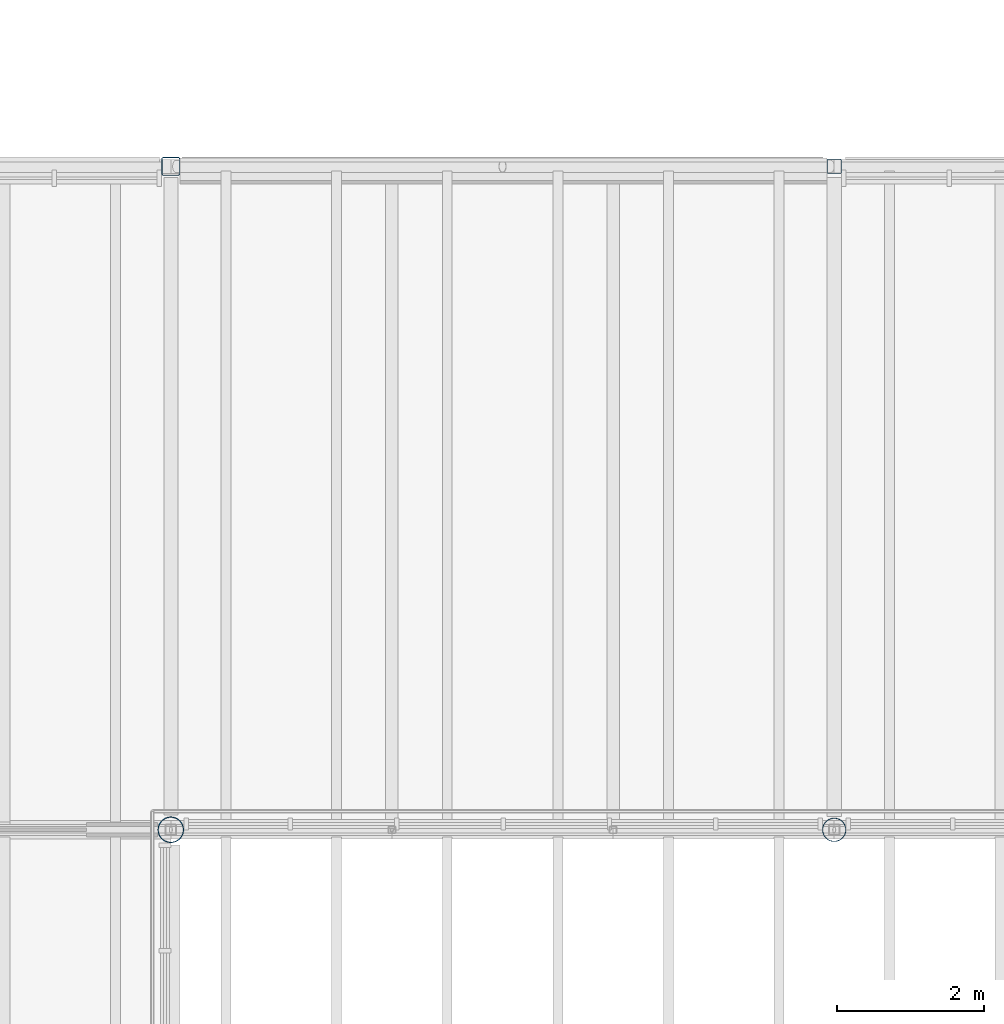
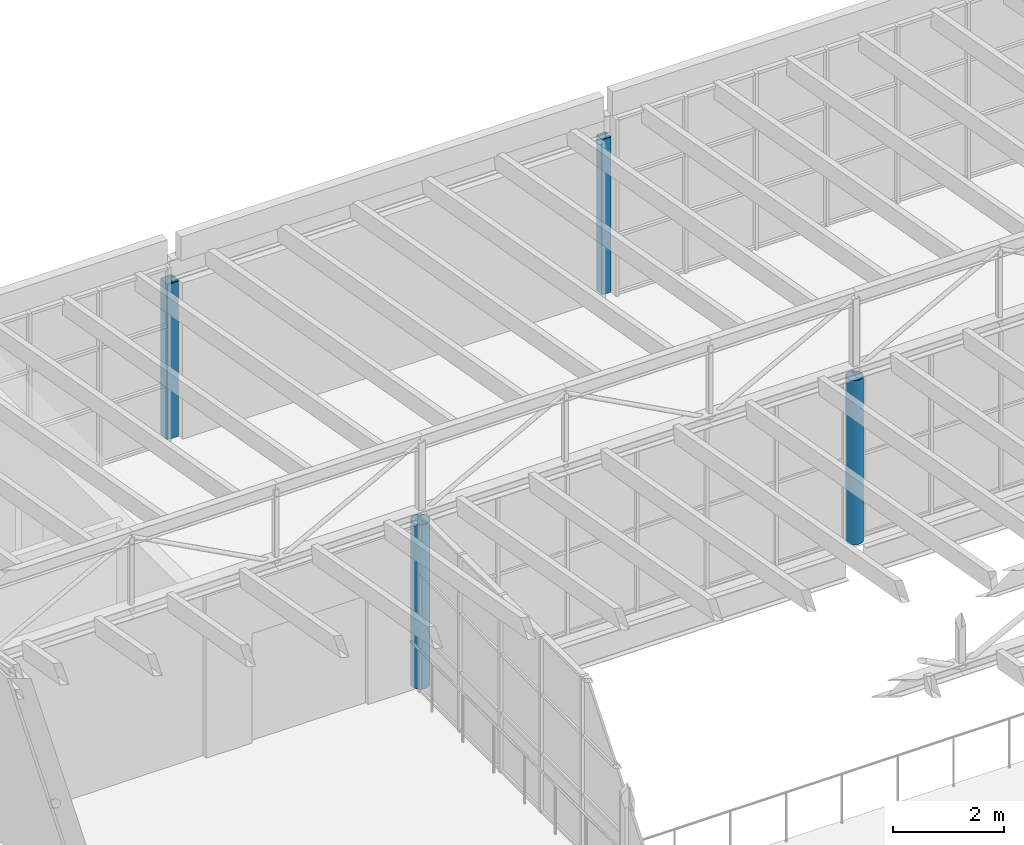
# One storey, part 2 of 44: 4 columns.
"""IFC4 building model written with IfcOpenShell, lengths in metres."""

import ifcopenshell
import ifcopenshell.guid

model = None  # the IFC model being written
_history = None  # IfcOwnerHistory: only IFC2X3 demands one
_inside = {}  # id of a spatial element -> (the spatial element, [elements in it])
_under = {}  # id of a project, library or spatial element -> (it, [spatial elements below it])
_declared = {}  # id of a project -> (the project, [libraries it declares])
_typed = {}  # id of a type object -> (the type object, [elements of that type])
_made_of = {}  # id of a material, layer set ... -> (it, [elements and type objects made of it])


def new_model(schema):
    """Start an empty IFC model of exactly this schema.

    Asked for "IFC4X3", IfcOpenShell would pick the latest addendum, in which some entities
    have other attributes; the version numbers below select the first issue.
    IFC2X3 requires an IfcOwnerHistory on every rooted entity: one is made here for all.
    """
    global model, _history
    if schema == "IFC4X3":
        model = ifcopenshell.file(schema_version=(4, 3, 0, 0))
    else:
        model = ifcopenshell.file(schema=schema)
    _inside.clear()
    _under.clear()
    _declared.clear()
    _typed.clear()
    _made_of.clear()
    _history = None
    if model.schema == "IFC2X3":
        org = make("IfcOrganization", Name="unknown")
        user = make(
            "IfcPersonAndOrganization",
            ThePerson=make("IfcPerson", FamilyName="unknown"),
            TheOrganization=org,
        )
        app = make(
            "IfcApplication",
            ApplicationDeveloper=org,
            Version="unknown",
            ApplicationFullName="unknown",
            ApplicationIdentifier="unknown",
        )
        _history = make(
            "IfcOwnerHistory",
            OwningUser=user,
            OwningApplication=app,
            ChangeAction="ADDED",
            CreationDate=0,
        )
    return model


def make(cls, **values):
    """One entity of the class cls with the attributes given. An attribute that is None is left unset."""
    return model.create_entity(
        cls, **{name: value for name, value in values.items() if value is not None}
    )


def rooted(cls, **values):
    """An entity with a GlobalId (a new one), such as an element, a storey or a relation."""
    return make(cls, GlobalId=ifcopenshell.guid.new(), OwnerHistory=_history, **values)


def si_unit(unit_type, name, prefix=None):
    """IfcSIUnit, for example si_unit("LENGTHUNIT", "METRE", prefix="MILLI")."""
    return make("IfcSIUnit", UnitType=unit_type, Prefix=prefix, Name=name)


def assignment(units):
    """IfcUnitAssignment: the units of a project."""
    return None if units is None else make("IfcUnitAssignment", Units=units)


def point(xyz):
    """IfcCartesianPoint."""
    return None if xyz is None else make("IfcCartesianPoint", Coordinates=xyz)


def direction(xyz):
    """IfcDirection."""
    return None if xyz is None else make("IfcDirection", DirectionRatios=xyz)


def frame(location, z_axis=None, x_axis=None):
    """IfcAxis2Placement3D, a coordinate frame: its origin and axes. An axis left out is left unset."""
    return make(
        "IfcAxis2Placement3D",
        Location=point(location),
        Axis=direction(z_axis),
        RefDirection=direction(x_axis),
    )


def frame_2d(location, x_axis=None):
    """IfcAxis2Placement2D, a coordinate frame in the plane: its origin and x axis."""
    return make(
        "IfcAxis2Placement2D", Location=point(location), RefDirection=direction(x_axis)
    )


def origin():
    """The frame at (0, 0, 0) with its axes left unset."""
    return frame((0.0, 0.0, 0.0))


def origin_2d():
    """The frame at (0, 0) in the plane with its x axis left unset."""
    return frame_2d((0.0, 0.0))


def place(relative_to, where):
    """IfcLocalPlacement: puts the frame where relative to a parent placement (None: the world)."""
    return make(
        "IfcLocalPlacement", PlacementRelTo=relative_to, RelativePlacement=where
    )


def context(
    kind, dimensions, precision=None, world=None, true_north=None, identifier=None
):
    """IfcGeometricRepresentationContext, for example the 3D "Model" context."""
    return make(
        "IfcGeometricRepresentationContext",
        ContextIdentifier=identifier,
        ContextType=kind,
        CoordinateSpaceDimension=dimensions,
        Precision=precision,
        WorldCoordinateSystem=world,
        TrueNorth=true_north,
    )


def subcontext(parent, identifier, kind, view, scale=None):
    """IfcGeometricRepresentationSubContext, for example "Body" below "Model"."""
    return make(
        "IfcGeometricRepresentationSubContext",
        ContextIdentifier=identifier,
        ContextType=kind,
        ParentContext=parent,
        TargetScale=scale,
        TargetView=view,
    )


def project(units=None, contexts=None):
    """IfcProject with its units and contexts."""
    return rooted(
        "IfcProject",
        Name="project",
        RepresentationContexts=contexts,
        UnitsInContext=assignment(units),
    )


def spatial(cls, under=None, at=None, **own):
    """A site, building, storey or space (cls), placed at a placement, below another one or the project."""
    s = rooted(cls, ObjectPlacement=at, **own)
    if under is not None:
        _under.setdefault(under.id(), (under, []))[1].append(s)
    return s


def profile(cls, at=None, kind="AREA", **sizes):
    """A parametric profile (cls). Its sizes go by their IFC names, for example OverallWidth=200.0."""
    return make(cls, ProfileType=kind, Position=at, **sizes)


def hollow_rectangle(**sizes):
    """IfcRectangleHollowProfileDef."""
    return profile("IfcRectangleHollowProfileDef", **sizes)


def hollow_circle(**sizes):
    """IfcCircleHollowProfileDef."""
    return profile("IfcCircleHollowProfileDef", **sizes)


def extrude(swept, where, along, depth):
    """IfcExtrudedAreaSolid: the profile swept, set in the frame where, extruded along a direction by depth."""
    return make(
        "IfcExtrudedAreaSolid",
        SweptArea=swept,
        Position=where,
        ExtrudedDirection=direction(along),
        Depth=depth,
    )


def shape(context_of_items, identifier, shape_type, items):
    """IfcShapeRepresentation: the items that make up one representation, for example the "Body"."""
    return make(
        "IfcShapeRepresentation",
        ContextOfItems=context_of_items,
        RepresentationIdentifier=identifier,
        RepresentationType=shape_type,
        Items=items,
    )


def material(Name=None, Category=None):
    """IfcMaterial."""
    return make("IfcMaterial", Name=Name, Category=Category)


def material_profile(
    of_material, cross_section, Name=None, Category=None, Priority=None
):
    """IfcMaterialProfile: a cross section and its material."""
    return make(
        "IfcMaterialProfile",
        Name=Name,
        Material=of_material,
        Profile=cross_section,
        Priority=Priority,
        Category=Category,
    )


def profile_set(profiles, Name=None, composite=None):
    """IfcMaterialProfileSet."""
    return make(
        "IfcMaterialProfileSet",
        Name=Name,
        MaterialProfiles=profiles,
        CompositeProfile=composite,
    )


def made_of(thing, what):
    """Note that an element or type object is made of a material, layer set ...; save() writes the relation."""
    if what is not None:
        _made_of.setdefault(what.id(), (what, []))[1].append(thing)
    return thing


def type_object(cls, material=None, **own):
    """A type object (cls), such as IfcWallType, which elements share."""
    return made_of(rooted(cls, **own), material)


def element(
    cls,
    number,
    at=None,
    inside=None,
    cuts=None,
    type_object=None,
    material=None,
    context=None,
    identifier="Body",
    shape_type=None,
    held_by="IfcProductDefinitionShape",
    body=None,
    shapes=None,
    **own,
):
    """One element of the class cls, such as IfcWall. Its Tag is "e" and its number.

    at: its placement. inside: the storey or other place that contains it. cuts: it is an
    opening in that element (IfcRelVoidsElement). A single representation is given by context,
    identifier, shape_type and body (its items); several are given by shapes. held_by: the class
    of the entity that holds the representations. save() writes the other relations.
    """
    e = rooted(cls, Tag="e%d" % number, ObjectPlacement=at, **own)
    if body is not None:
        shapes = [shape(context, identifier, shape_type, body)]
    if shapes is not None:
        e.Representation = make(held_by, Representations=shapes)
    if inside is not None:
        _inside.setdefault(inside.id(), (inside, []))[1].append(e)
    if cuts is not None:
        rooted(
            "IfcRelVoidsElement", RelatingBuildingElement=cuts, RelatedOpeningElement=e
        )
    if type_object is not None:
        _typed.setdefault(type_object.id(), (type_object, []))[1].append(e)
    return made_of(e, material)


def aggregate(whole, parts):
    """IfcRelAggregates: a whole, such as a stair, and the parts it consists of."""
    return rooted("IfcRelAggregates", RelatingObject=whole, RelatedObjects=parts)


def save(model, path):
    """Write the relations noted so far, then the file.

    IfcRelAggregates (storeys below a building ...), IfcRelContainedInSpatialStructure (elements
    in a storey), IfcRelDefinesByType, IfcRelAssociatesMaterial and IfcRelDeclares: one each for
    every whole, place, type object, material and project.
    """
    for whole, parts in _under.values():
        aggregate(whole, parts)
    for where, things in _inside.values():
        rooted(
            "IfcRelContainedInSpatialStructure",
            RelatedElements=things,
            RelatingStructure=where,
        )
    for kind, things in _typed.values():
        rooted("IfcRelDefinesByType", RelatedObjects=things, RelatingType=kind)
    for what, things in _made_of.values():
        rooted("IfcRelAssociatesMaterial", RelatedObjects=things, RelatingMaterial=what)
    for by, libraries in _declared.values():
        rooted("IfcRelDeclares", RelatingContext=by, RelatedDefinitions=libraries)
    model.write(path)


model = new_model("IFC4")

# Units and contexts
model_context = context("Model", 3, precision=1e-05, world=origin(), true_north=direction((0.0, 1.0)))
body_context = subcontext(model_context, "Body", "Model", "MODEL_VIEW")
ifc_project = project(units=[si_unit("LENGTHUNIT", "METRE"), si_unit("AREAUNIT", "SQUARE_METRE"), si_unit("VOLUMEUNIT", "CUBIC_METRE"), si_unit("PLANEANGLEUNIT", "RADIAN"), si_unit("MASSUNIT", "GRAM", prefix="KILO")], contexts=[model_context])

# Site, building, storey
site_placement = place(None, origin())
site = spatial("IfcSite", under=ifc_project, at=site_placement, CompositionType="ELEMENT")
building_placement = place(site_placement, origin())
building = spatial("IfcBuilding", under=site, at=building_placement, Name="Halyard Row Museum", CompositionType="ELEMENT")
storey_placement = place(building_placement, frame((0.0, 0.0, 21.199951171875)))
storey = spatial("IfcBuildingStorey", under=building, at=storey_placement, Name="L04", CompositionType="ELEMENT", Elevation=21.199951171875)

# Columns
ifc_material_1 = material(Name="Steel Grade C350L0", Category="steel")
ifc_material_profile_1 = material_profile(ifc_material_1, hollow_rectangle(XDim=0.199951171875, YDim=0.199951171875, WallThickness=0.008056640625, InnerFilletRadius=0.011962890625, OuterFilletRadius=0.02001953125, at=origin_2d()), Name="200x200x8.0SHS")
ifc_profile_set_1 = profile_set([ifc_material_profile_1], Name="Steel Grade C350L0")
column_type_1 = type_object("IfcColumnType", Name="Column 200x200x8.0SHS edge", PredefinedType="COLUMN", material=ifc_profile_set_1)
column_1_placement = place(storey_placement, frame((90.0, 36.0, 0.0), z_axis=(0.0, 0.0, 1.0), x_axis=(1.0, 0.0, 0.0)))
element("IfcColumn", 1, at=column_1_placement, inside=storey, type_object=column_type_1, Name="Column 11E L04", PredefinedType="COLUMN", context=body_context, shape_type="SweptSolid", body=[
    extrude(hollow_rectangle(XDim=0.199951171875, YDim=0.199951171875, WallThickness=0.008056640625, InnerFilletRadius=0.011962890625, OuterFilletRadius=0.02001953125, at=origin_2d()), origin(), (0.0, 0.0, 1.0), 3.400146484375),
])
ifc_material_2 = material(Name="Steel Grade C350L0", Category="steel")
ifc_material_profile_2 = material_profile(ifc_material_2, hollow_rectangle(XDim=0.25, YDim=0.25, WallThickness=0.010009765625, InnerFilletRadius=0.014892578125, OuterFilletRadius=0.02490234375, at=origin_2d()), Name="250x250x10.0SHS")
ifc_profile_set_2 = profile_set([ifc_material_profile_2], Name="Steel Grade C350L0")
column_type_2 = type_object("IfcColumnType", Name="Column 250x250x10.0SHS edge", PredefinedType="COLUMN", material=ifc_profile_set_2)
column_2_placement = place(storey_placement, frame((81.0, 36.0, 0.0), z_axis=(0.0, 0.0, 1.0), x_axis=(1.0, 0.0, 0.0)))
element("IfcColumn", 2, at=column_2_placement, inside=storey, type_object=column_type_2, Name="Column 10E L04", PredefinedType="COLUMN", context=body_context, shape_type="SweptSolid", body=[
    extrude(hollow_rectangle(XDim=0.25, YDim=0.25, WallThickness=0.010009765625, InnerFilletRadius=0.014892578125, OuterFilletRadius=0.02490234375, at=origin_2d()), origin(), (0.0, 0.0, 1.0), 3.400146484375),
])
ifc_material_3 = material(Name="Steel Grade C350L0", Category="steel")
ifc_material_profile_3 = material_profile(ifc_material_3, hollow_circle(Radius=0.161865234375, WallThickness=0.009521484375, at=origin_2d()), Name="323.9x9.5CHS")
ifc_profile_set_3 = profile_set([ifc_material_profile_3], Name="Steel Grade C350L0")
column_type_3 = type_object("IfcColumnType", Name="Column 323.9x9.5CHS atrium", PredefinedType="COLUMN", material=ifc_profile_set_3)
column_3_placement = place(storey_placement, frame((90.0, 27.0, 0.0), z_axis=(0.0, 0.0, 1.0), x_axis=(1.0, 0.0, 0.0)))
element("IfcColumn", 3, at=column_3_placement, inside=storey, type_object=column_type_3, Name="Column 11D L04", PredefinedType="COLUMN", context=body_context, shape_type="SweptSolid", body=[
    extrude(hollow_circle(Radius=0.161865234375, WallThickness=0.009521484375, at=origin_2d()), origin(), (0.0, 0.0, 1.0), 3.60009765625),
])
ifc_material_4 = material(Name="Steel Grade C350L0", Category="steel")
ifc_material_profile_4 = material_profile(ifc_material_4, hollow_circle(Radius=0.177734375, WallThickness=0.0126953125, at=origin_2d()), Name="355.6x12.7CHS")
ifc_profile_set_4 = profile_set([ifc_material_profile_4], Name="Steel Grade C350L0")
column_type_4 = type_object("IfcColumnType", Name="Column 355.6x12.7CHS atrium", PredefinedType="COLUMN", material=ifc_profile_set_4)
column_4_placement = place(storey_placement, frame((81.0, 27.0, 0.0), z_axis=(0.0, 0.0, 1.0), x_axis=(1.0, 0.0, 0.0)))
element("IfcColumn", 4, at=column_4_placement, inside=storey, type_object=column_type_4, Name="Column 10D L04", PredefinedType="COLUMN", context=body_context, shape_type="SweptSolid", body=[
    extrude(hollow_circle(Radius=0.177734375, WallThickness=0.0126953125, at=origin_2d()), origin(), (0.0, 0.0, 1.0), 3.60009765625),
])

save(model, "model.ifc")
